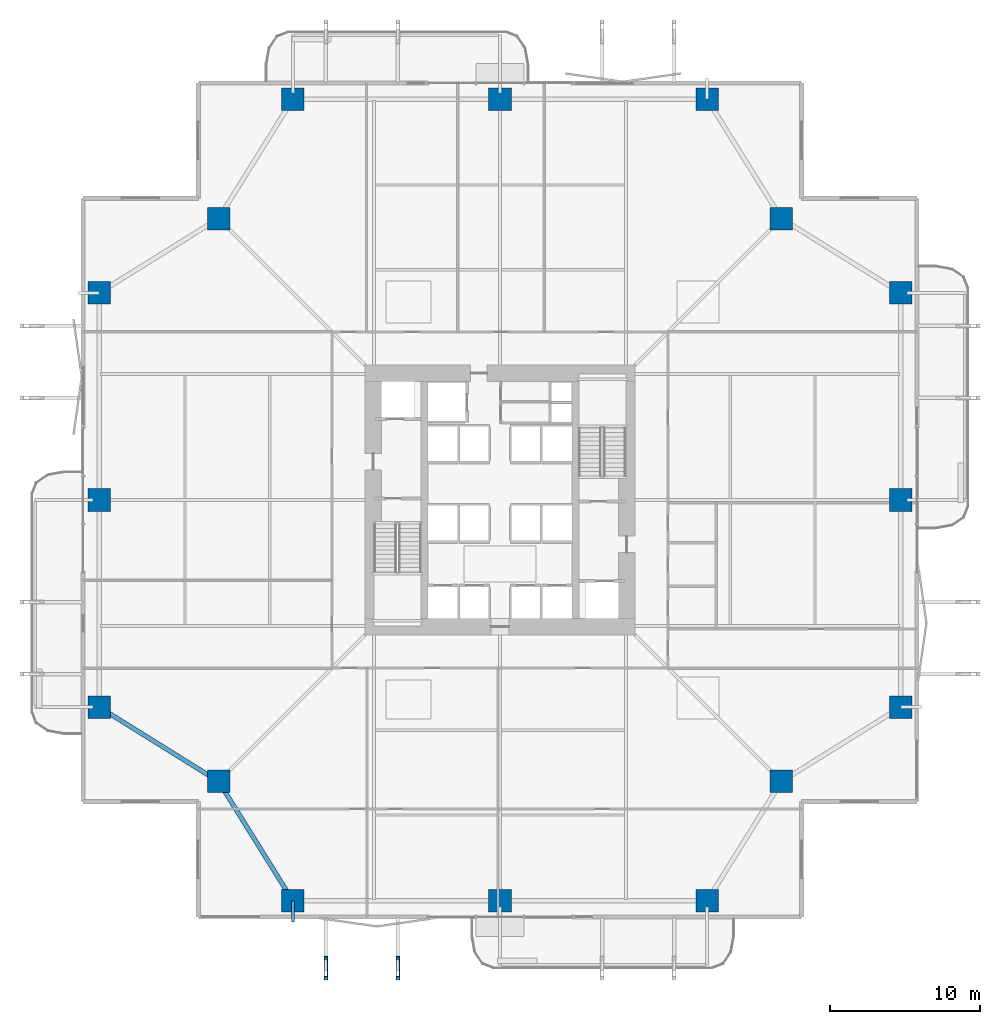
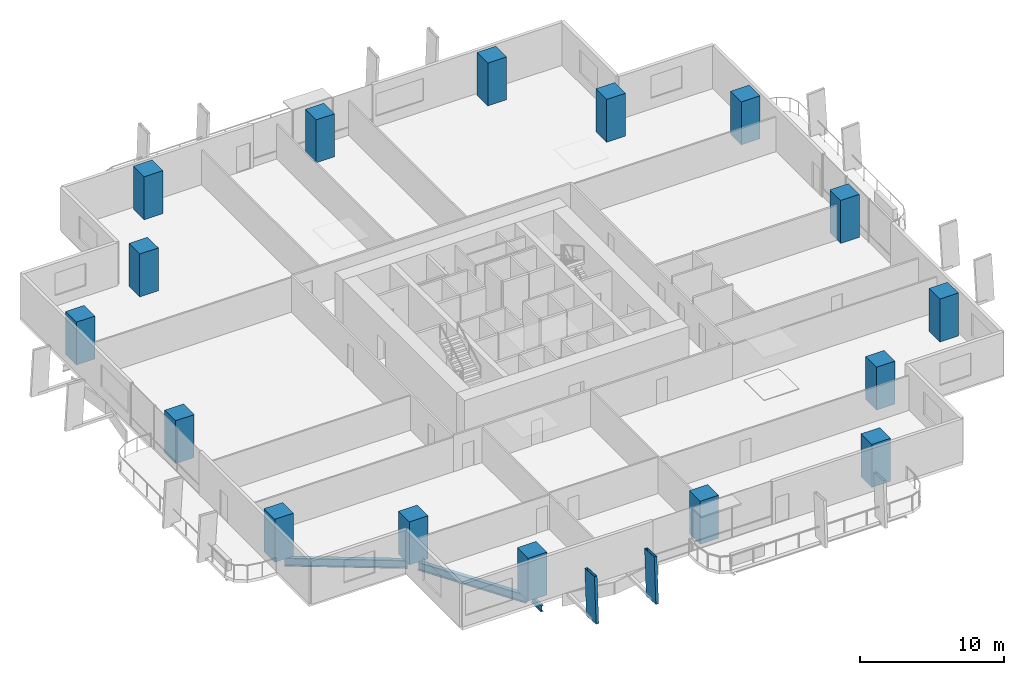
# One storey, part 1 of 24: 16 columns, 3 beams, 2 members.
"""IFC4 building model written with IfcOpenShell, lengths in metres."""

from ifc_helpers import new_model, si_unit, direction, frame, origin, origin_2d, place, context, subcontext, project, spatial, rectangle, hollow_rectangle, i_section, extrude, material, material_profile, profile_set, type_object, element, save


model = new_model("IFC4")

# Units and contexts
model_context = context("Model", 3, precision=1e-05, world=origin(), true_north=direction((0.0, 1.0)))
body_context = subcontext(model_context, "Body", "Model", "MODEL_VIEW")
ifc_project = project(units=[si_unit("LENGTHUNIT", "METRE"), si_unit("AREAUNIT", "SQUARE_METRE"), si_unit("VOLUMEUNIT", "CUBIC_METRE"), si_unit("PLANEANGLEUNIT", "RADIAN"), si_unit("MASSUNIT", "GRAM", prefix="KILO")], contexts=[model_context])

# Site, building, storey
site_placement = place(None, origin())
site = spatial("IfcSite", under=ifc_project, at=site_placement, CompositionType="ELEMENT")
building_placement = place(site_placement, origin())
building = spatial("IfcBuilding", under=site, at=building_placement, Name="Belovzor Exchange Tower", CompositionType="ELEMENT")
storey_placement = place(building_placement, frame((0.0, 0.0, 33.89990234375)))
storey = spatial("IfcBuildingStorey", under=building, at=storey_placement, Name="L07", CompositionType="ELEMENT", Elevation=33.89990234375)

# Columns
ifc_material_1 = material(Name="Concrete C60/75", Category="concrete")
ifc_material_profile_1 = material_profile(ifc_material_1, rectangle(XDim=1.5, YDim=1.5, at=origin_2d()))
ifc_profile_set_1 = profile_set([ifc_material_profile_1], Name="Concrete C60/75")
column_type = type_object("IfcColumnType", Name="Reinforced Concrete Tower Column 1500x1500", PredefinedType="COLUMN", material=ifc_profile_set_1)
for number, where, z_axis, x_axis, name in (
    (1, (15.0, 2.10009765625, 0.003173828125), (0.0, 0.0, 1.0), (1.0, 0.0, 0.0), "COL-T150 Reinforced Concrete Tower Column 1500x1500"),
    (2, (28.800048828125, 2.10009765625, 0.003173828125), (0.0, 0.0, 1.0), (1.0, 0.0, 0.0), "COL-T150 Reinforced Concrete Tower Column 1500x1500"),
    (3, (42.60009765625, 2.10009765625, 0.003173828125), (0.0, 0.0, 1.0), (1.0, 0.0, 0.0), "COL-T150 Reinforced Concrete Tower Column 1500x1500"),
    (4, (55.5, 15.0, 0.003173828125), (0.0, 0.0, 1.0), (1.0, 0.0, 0.0), "COL-T150 Reinforced Concrete Tower Column 1500x1500"),
    (5, (55.5, 28.800048828125, 0.003173828125), (0.0, 0.0, 1.0), (1.0, 0.0, 0.0), "COL-T150 Reinforced Concrete Tower Column 1500x1500"),
    (6, (55.5, 42.60009765625, 0.003173828125), (0.0, 0.0, 1.0), (1.0, 0.0, 0.0), "COL-T150 Reinforced Concrete Tower Column 1500x1500"),
    (7, (42.60009765625, 55.5, 0.003173828125), (0.0, 0.0, 1.0), (1.0, 0.0, 0.0), "COL-T150 Reinforced Concrete Tower Column 1500x1500"),
    (8, (28.800048828125, 55.5, 0.003173828125), (0.0, 0.0, 1.0), (1.0, 0.0, 0.0), "COL-T150 Reinforced Concrete Tower Column 1500x1500"),
    (9, (15.0, 55.5, 0.003173828125), (0.0, 0.0, 1.0), (1.0, 0.0, 0.0), "COL-T150 Reinforced Concrete Tower Column 1500x1500"),
    (10, (2.10009765625, 42.60009765625, 0.003173828125), (0.0, 0.0, 1.0), (1.0, 0.0, 0.0), "COL-T150 Reinforced Concrete Tower Column 1500x1500"),
    (11, (2.10009765625, 28.800048828125, 0.003173828125), (0.0, 0.0, 1.0), (1.0, 0.0, 0.0), "COL-T150 Reinforced Concrete Tower Column 1500x1500"),
    (12, (2.10009765625, 15.0, 0.003173828125), (0.0, 0.0, 1.0), (1.0, 0.0, 0.0), "COL-T150 Reinforced Concrete Tower Column 1500x1500"),
    (13, (10.050048828125, 10.050048828125, 0.003173828125), (0.0, 0.0, 1.0), (1.0, 0.0, 0.0), "COL-T150 Reinforced Concrete Tower Column 1500x1500"),
    (14, (47.550048828125, 10.050048828125, 0.003173828125), (0.0, 0.0, 1.0), (1.0, 0.0, 0.0), "COL-T150 Reinforced Concrete Tower Column 1500x1500"),
    (15, (47.550048828125, 47.550048828125, 0.003173828125), (0.0, 0.0, 1.0), (1.0, 0.0, 0.0), "COL-T150 Reinforced Concrete Tower Column 1500x1500"),
    (16, (10.050048828125, 47.550048828125, 0.003173828125), (0.0, 0.0, 1.0), (1.0, 0.0, 0.0), "COL-T150 Reinforced Concrete Tower Column 1500x1500"),
):
    element("IfcColumn", number, at=place(storey_placement, frame(where, z_axis=z_axis, x_axis=x_axis)), inside=storey, type_object=column_type, Name=name, PredefinedType="COLUMN", context=body_context, shape_type="SweptSolid", body=[
        extrude(rectangle(XDim=1.5, YDim=1.5, at=origin_2d()), origin(), (0.0, 0.0, 1.0), 3.64404296875),
    ])

# Members
ifc_material_2 = material(Name="Extruded Architectural Terracotta on Steel S355 Carrier", Category="masonry")
ifc_material_profile_2 = material_profile(ifc_material_2, hollow_rectangle(XDim=0.219970703125, YDim=1.35009765625, WallThickness=0.013916015625, at=origin_2d()))
ifc_profile_set_2 = profile_set([ifc_material_profile_2], Name="Extruded Architectural Terracotta on Steel S355 Carrier")
member_type = type_object("IfcMemberType", Name="Base Arc Sweeping Terracotta Pylon Fin 1450", PredefinedType="USERDEFINED", material=ifc_profile_set_2)
for number, where, z_axis, x_axis, name in (
    (17, (17.199951171875, -2.50390625, -0.25), (0.0, 0.059113970154, 0.998251240186), (-1.0, 0.0, 0.0), "FIN-TC145 Terracotta Facade Fin L07 S1"),
    (18, (22.0, -2.50390625, -0.25), (0.0, 0.059113970154, 0.998251240186), (-1.0, 0.0, 0.0), "FIN-TC145 Terracotta Facade Fin L07 S2"),
):
    element("IfcMember", number, at=place(storey_placement, frame(where, z_axis=z_axis, x_axis=x_axis)), inside=storey, type_object=member_type, Name=name, ObjectType="FIN", PredefinedType="USERDEFINED", context=body_context, shape_type="SweptSolid", body=[
        extrude(hollow_rectangle(XDim=0.219970703125, YDim=1.35009765625, WallThickness=0.013916015625, at=origin_2d()), origin(), (0.0, 0.0, 1.0), 3.906982421875),
    ])

# Beams
ifc_material_3 = material(Name="Steel S355", Category="steel")
ifc_material_profile_3 = material_profile(ifc_material_3, i_section(OverallWidth=0.199951171875, OverallDepth=0.5, WebThickness=0.01025390625, FlangeThickness=0.01611328125, at=origin_2d()))
ifc_profile_set_3 = profile_set([ifc_material_profile_3], Name="Steel S355")
beam_type_1 = type_object("IfcBeamType", Name="Planted Balcony Cantilever Beam IPE 500", PredefinedType="BEAM", material=ifc_profile_set_3)
beam_placement = place(storey_placement, frame((15.0, 2.10009765625, -0.5), z_axis=(0.0, -1.0, 0.0), x_axis=(1.0, 0.0, 0.0)))
element("IfcBeam", 19, at=beam_placement, inside=storey, type_object=beam_type_1, Name="BC-500 Planted Balcony Cantilever Beam IPE 500", PredefinedType="BEAM", context=body_context, shape_type="SweptSolid", body=[
    extrude(i_section(OverallWidth=0.199951171875, OverallDepth=0.5, WebThickness=0.01025390625, FlangeThickness=0.01611328125, at=origin_2d()), origin(), (0.0, 0.0, 1.0), 1.400146484375),
])
ifc_material_4 = material(Name="Steel S355", Category="steel")
ifc_material_profile_4 = material_profile(ifc_material_4, i_section(OverallWidth=0.300048828125, OverallDepth=0.699951171875, WebThickness=0.01708984375, FlangeThickness=0.031982421875, at=origin_2d()))
ifc_profile_set_4 = profile_set([ifc_material_profile_4], Name="Steel S355")
beam_type_2 = type_object("IfcBeamType", Name="Zone 1 Primary Perimeter Girder HEB 700", PredefinedType="BEAM", material=ifc_profile_set_4)
for number, where, z_axis, x_axis, name in (
    (20, (10.26806640625, 9.699951171875, -0.599853515625), (0.528538629686, -0.848909251292, 0.0), (0.848909251292, 0.528538629686, 0.0), "FG-Z1 Zone 1 Primary Perimeter Girder HEB 700"),
    (21, (2.449951171875, 14.781982421875, -0.599853515625), (0.848909251292, -0.528538629686, 0.0), (0.528538629686, 0.848909251292, 0.0), "FG-Z1 Zone 1 Primary Perimeter Girder HEB 700"),
):
    element("IfcBeam", number, at=place(storey_placement, frame(where, z_axis=z_axis, x_axis=x_axis)), inside=storey, type_object=beam_type_2, Name=name, PredefinedType="BEAM", context=body_context, shape_type="SweptSolid", body=[
        extrude(i_section(OverallWidth=0.300048828125, OverallDepth=0.699951171875, WebThickness=0.01708984375, FlangeThickness=0.031982421875, at=origin_2d()), origin(), (0.0, 0.0, 1.0), 8.540283203125),
    ])

save(model, "model.ifc")
